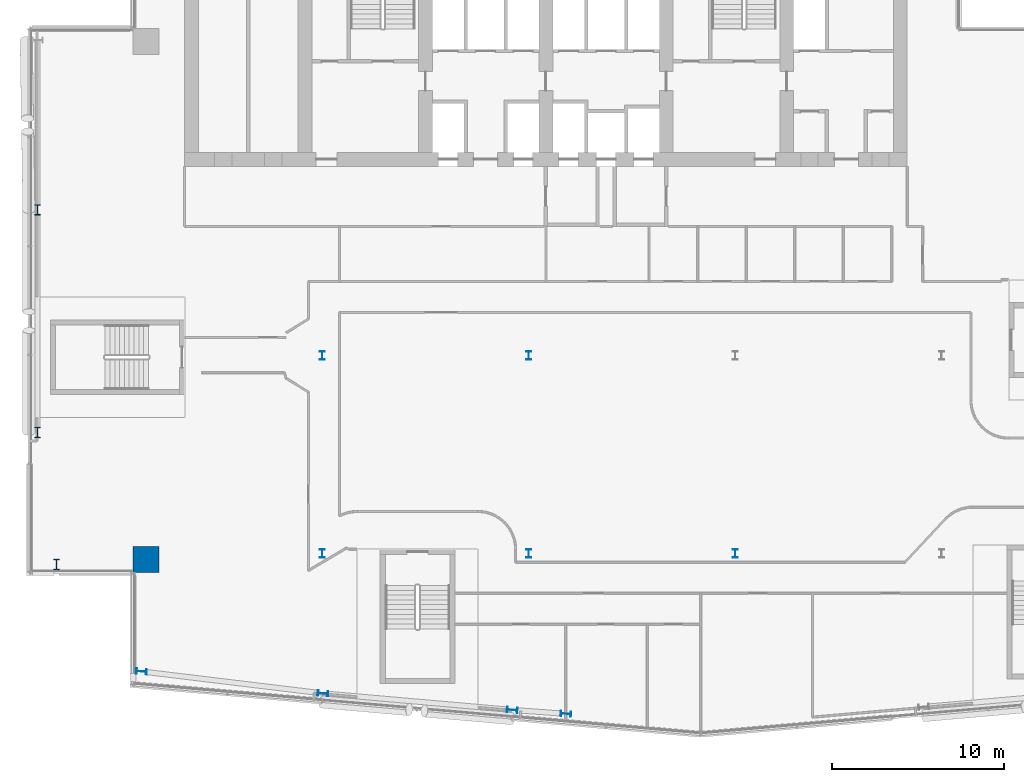
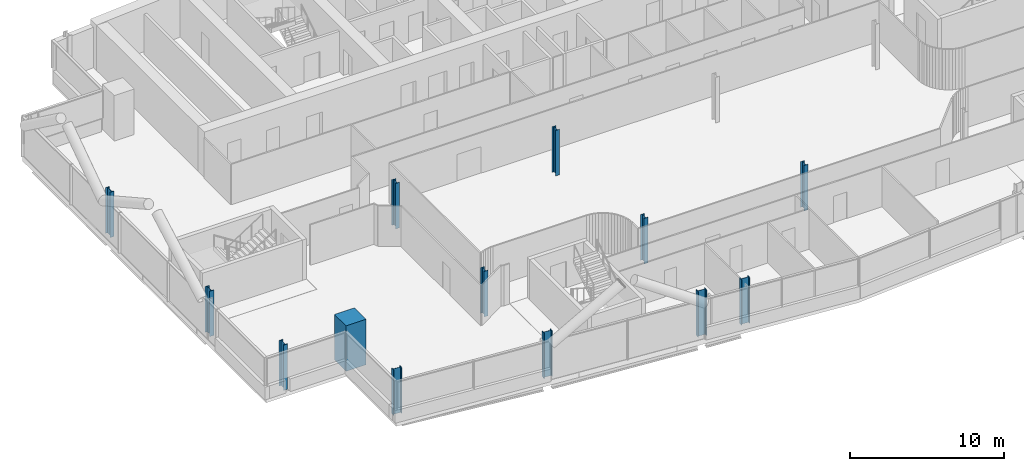
# One storey, part 1 of 29: 13 columns.
"""IFC4 building model written with IfcOpenShell, lengths in metres."""

from ifc_helpers import new_model, si_unit, direction, frame, origin, origin_2d, place, context, subcontext, project, spatial, rectangle, i_section, extrude, material, material_profile, profile_set, type_object, element, save


model = new_model("IFC4")

# Units and contexts
model_context = context("Model", 3, precision=1e-05, world=origin(), true_north=direction((0.0, 1.0)))
body_context = subcontext(model_context, "Body", "Model", "MODEL_VIEW")
ifc_project = project(units=[si_unit("LENGTHUNIT", "METRE"), si_unit("AREAUNIT", "SQUARE_METRE"), si_unit("VOLUMEUNIT", "CUBIC_METRE"), si_unit("PLANEANGLEUNIT", "RADIAN"), si_unit("MASSUNIT", "GRAM", prefix="KILO")], contexts=[model_context])

# Site, building, storey
site_placement = place(None, origin())
site = spatial("IfcSite", under=ifc_project, at=site_placement, CompositionType="ELEMENT")
building_placement = place(site_placement, origin())
building = spatial("IfcBuilding", under=site, at=building_placement, Name="Wharfspan Tower", CompositionType="ELEMENT")
storey_placement = place(building_placement, frame((0.0, 0.0, 162.699951)))
storey = spatial("IfcBuildingStorey", under=building, at=storey_placement, Name="L39", CompositionType="ELEMENT", Elevation=162.699951)

# Columns
ifc_material_1 = material(Name="Steel S355J2", Category="steel")
ifc_material_profile_1 = material_profile(ifc_material_1, i_section(OverallWidth=0.300049, OverallDepth=0.5, WebThickness=0.014404, FlangeThickness=0.028076, FilletRadius=0.0271, at=origin_2d()))
ifc_profile_set_1 = profile_set([ifc_material_profile_1], Name="Steel S355J2")
column_type_1 = type_object("IfcColumnType", Name="Column HEB 500", PredefinedType="COLUMN", material=ifc_profile_set_1)
for number, where, z_axis, x_axis, name in (
    (1, (24.0, 11.5, 0.0), (0.0, 0.0, 1.0), (1.0, 0.0, 0.0), "Interior column I.1.1 L39"),
    (2, (36.0, 11.5, 0.0), (0.0, 0.0, 1.0), (1.0, 0.0, 0.0), "Interior column I.1.2 L39"),
    (3, (48.0, 11.5, 0.0), (0.0, 0.0, 1.0), (1.0, 0.0, 0.0), "Interior column I.1.3 L39"),
    (4, (24.0, 23.0, 0.0), (0.0, 0.0, 1.0), (1.0, 0.0, 0.0), "Interior column I.2.1 L39"),
    (5, (36.0, 23.0, 0.0), (0.0, 0.0, 1.0), (1.0, 0.0, 0.0), "Interior column I.2.2 L39"),
):
    element("IfcColumn", number, at=place(storey_placement, frame(where, z_axis=z_axis, x_axis=x_axis)), inside=storey, type_object=column_type_1, Name=name, PredefinedType="COLUMN", context=body_context, shape_type="SweptSolid", body=[
        extrude(i_section(OverallWidth=0.300049, OverallDepth=0.5, WebThickness=0.014404, FlangeThickness=0.028076, FilletRadius=0.0271, at=origin_2d()), origin(), (0.0, 0.0, 1.0), 3.600098),
    ])
ifc_material_profile_2 = material_profile(ifc_material_1, i_section(OverallWidth=0.304932, OverallDepth=0.620117, WebThickness=0.020996, FlangeThickness=0.040039, FilletRadius=0.0271, at=origin_2d()))
ifc_profile_set_2 = profile_set([ifc_material_profile_2], Name="Steel S355J2")
column_type_2 = type_object("IfcColumnType", Name="Column HEM 600", PredefinedType="COLUMN", material=ifc_profile_set_2)
for number, where, z_axis, x_axis, name in (
    (6, (13.490723, 4.637451, 0.0), (0.0, 0.0, 1.0), (-0.087156, -0.996198, 0.0), "Perimeter column PS1.1 L39"),
    (7, (24.039307, 3.361084, 0.0), (0.0, 0.0, 1.0), (-0.087156, -0.996198, 0.0), "Perimeter column PS1.2 L39"),
    (8, (35.039307, 2.398682, 0.0), (0.0, 0.0, 1.0), (-0.087156, -0.996198, 0.0), "Perimeter column PS1.3 L39"),
    (9, (38.161133, 2.174072, 0.0), (0.0, 0.0, 1.0), (-0.087156, -0.996198, 0.0), "Perimeter column PS1.4 L39"),
    (10, (7.449951, 31.466553, 0.0), (0.0, 0.0, 1.0), (-1.0, 0.0, 0.0), "Perimeter column PW.1 L39"),
    (11, (7.449951, 18.533447, 0.0), (0.0, 0.0, 1.0), (-1.0, 0.0, 0.0), "Perimeter column PW.2 L39"),
    (12, (8.560791, 10.854004, 0.0), (0.0, 0.0, 1.0), (-1.0, 0.0, 0.0), "Perimeter column PW.3 L39"),
):
    element("IfcColumn", number, at=place(storey_placement, frame(where, z_axis=z_axis, x_axis=x_axis)), inside=storey, type_object=column_type_2, Name=name, PredefinedType="COLUMN", context=body_context, shape_type="SweptSolid", body=[
        extrude(i_section(OverallWidth=0.304932, OverallDepth=0.620117, WebThickness=0.020996, FlangeThickness=0.040039, FilletRadius=0.0271, at=origin_2d()), origin(), (0.0, 0.0, 1.0), 3.600098),
    ])
ifc_material_2 = material(Name="Concrete C60/75", Category="concrete")
ifc_material_profile_3 = material_profile(ifc_material_2, rectangle(XDim=1.5, YDim=1.5, at=origin_2d()))
ifc_profile_set_3 = profile_set([ifc_material_profile_3], Name="Concrete C60/75")
column_type_3 = type_object("IfcColumnType", Name="Mega column 1500 C60/75", PredefinedType="COLUMN", material=ifc_profile_set_3)
column_placement = place(storey_placement, frame((13.75, 11.149902, 0.0), z_axis=(0.0, 0.0, 1.0), x_axis=(1.0, 0.0, 0.0)))
element("IfcColumn", 13, at=column_placement, inside=storey, type_object=column_type_3, Name="Mega column MC1 L39", PredefinedType="COLUMN", context=body_context, shape_type="SweptSolid", body=[
    extrude(rectangle(XDim=1.5, YDim=1.5, at=origin_2d()), origin(), (0.0, 0.0, 1.0), 3.600098),
])

save(model, "model.ifc")
